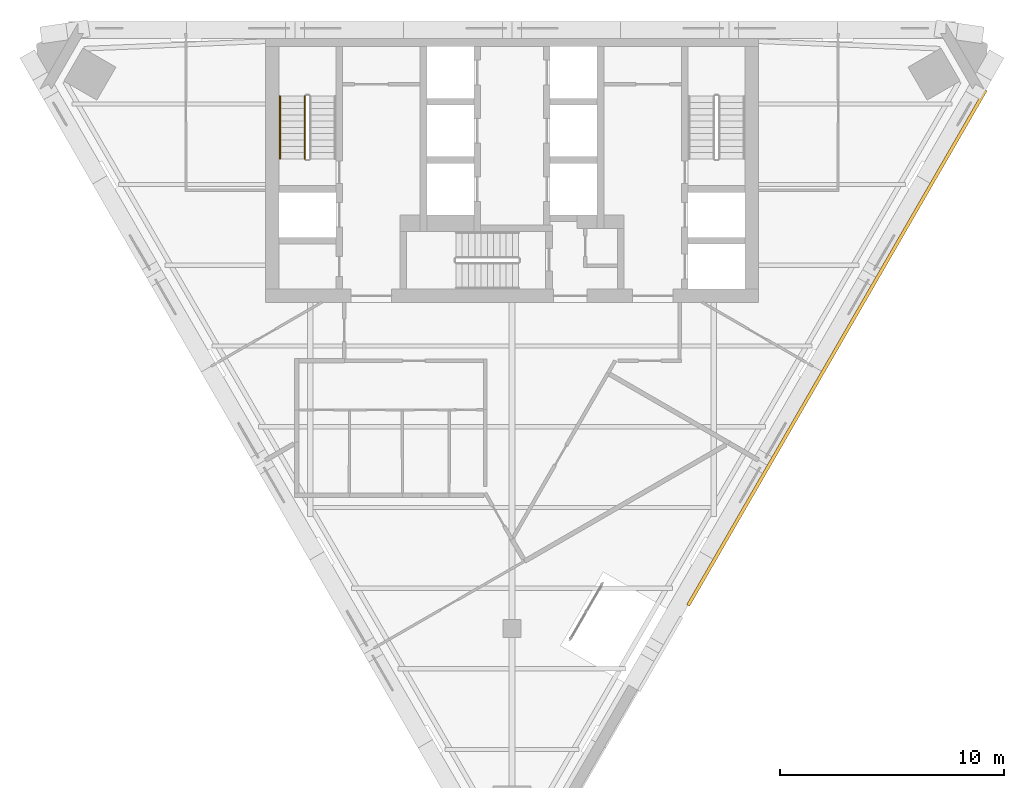
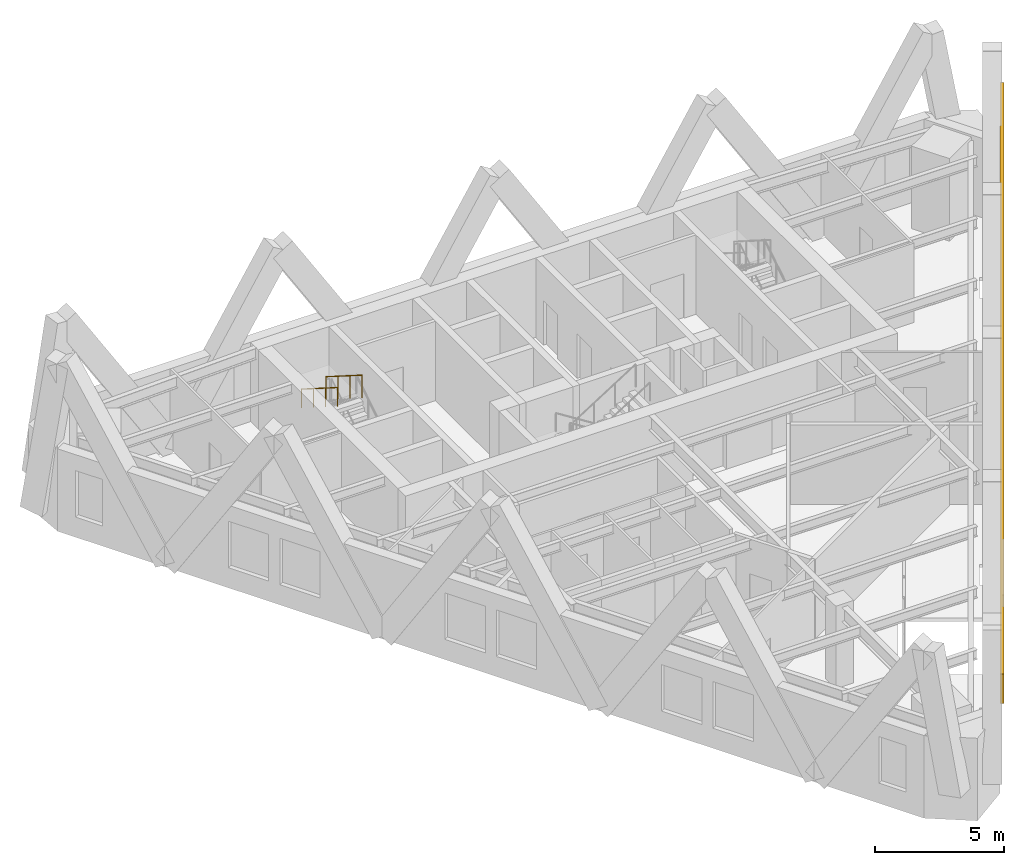
# One storey, part 9 of 10: 2 railings, 1 covering.
"""IFC4 building model written with IfcOpenShell, lengths in metres."""

from ifc_helpers import new_model, si_unit, direction, frame, origin, origin_2d, place, context, subcontext, project, spatial, polyline, circle, outline, extrude, material, layer, layer_set, type_object, element, save


model = new_model("IFC4")

# Units and contexts
model_context = context("Model", 3, precision=1e-05, world=origin(), true_north=direction((0.0, 1.0)))
body_context = subcontext(model_context, "Body", "Model", "MODEL_VIEW")
ifc_project = project(units=[si_unit("LENGTHUNIT", "METRE"), si_unit("AREAUNIT", "SQUARE_METRE"), si_unit("VOLUMEUNIT", "CUBIC_METRE"), si_unit("PLANEANGLEUNIT", "RADIAN"), si_unit("MASSUNIT", "GRAM", prefix="KILO")], contexts=[model_context])

# Site, building, storey
site_placement = place(None, origin())
site = spatial("IfcSite", under=ifc_project, at=site_placement, CompositionType="ELEMENT")
building_placement = place(site_placement, origin())
building = spatial("IfcBuilding", under=site, at=building_placement, Name="Aloe Facet Convention Tower", CompositionType="ELEMENT")
storey_placement = place(building_placement, frame((0.0, 0.0, 219.199951171875)))
storey = spatial("IfcBuildingStorey", under=building, at=storey_placement, Name="L55", CompositionType="ELEMENT", Elevation=219.199951171875)

# Railings
ifc_material_1 = material(Name="Steel S355 balustrade", Category="steel")
railing_type_1 = type_object("IfcRailingType", Name="CR-RL-GUARD", PredefinedType="GUARDRAIL", material=ifc_material_1)
railing_1_placement = place(storey_placement, frame((70.75, 131.75, 2.12744140625)))
element("IfcRailing", 1, at=railing_1_placement, inside=storey, type_object=railing_type_1, Name="L55 ST1 stair guard 3", PredefinedType="GUARDRAIL", context=body_context, shape_type="SweptSolid", body=[
    extrude(circle(Radius=0.02392578125, at=origin_2d()), frame((0.0, 0.0, 1.076171875), z_axis=(0.0, -0.844908973607, 0.534910110503), x_axis=(1.0, 0.0, 0.0)), (0.0, 0.0, 1.0), 3.31396484375),
    extrude(circle(Radius=0.02099609375, at=origin_2d()), origin(), (0.0, 0.0, 1.0), 1.052001953125),
    extrude(circle(Radius=0.02099609375, at=origin_2d()), frame((0.0, -0.933349609375, 0.5908203125)), (0.0, 0.0, 1.0), 1.052001953125),
    extrude(circle(Radius=0.02099609375, at=origin_2d()), frame((0.0, -1.86669921875, 1.181884765625)), (0.0, 0.0, 1.0), 1.052001953125),
    extrude(circle(Radius=0.02099609375, at=origin_2d()), frame((0.0, -2.800048828125, 1.772705078125)), (0.0, 0.0, 1.0), 1.052001953125),
])
ifc_material_2 = material(Name="Steel S355 handrail", Category="steel")
railing_type_2 = type_object("IfcRailingType", Name="CR-RL-HAND", PredefinedType="HANDRAIL", material=ifc_material_2)
railing_2_placement = place(storey_placement, frame((69.64990234375, 131.75, 2.12744140625)))
element("IfcRailing", 2, at=railing_2_placement, inside=storey, type_object=railing_type_2, Name="L55 ST1 stair handrail 2", PredefinedType="HANDRAIL", context=body_context, shape_type="SweptSolid", body=[
    extrude(circle(Radius=0.02392578125, at=origin_2d()), frame((0.0, 0.0, 0.8759765625), z_axis=(0.0, -0.844908973607, 0.534910110503), x_axis=(1.0, 0.0, 0.0)), (0.0, 0.0, 1.0), 3.31396484375),
    extrude(circle(Radius=0.02099609375, at=origin_2d()), origin(), (0.0, 0.0, 1.0), 0.851806640625),
    extrude(circle(Radius=0.02099609375, at=origin_2d()), frame((0.0, -0.933349609375, 0.5908203125)), (0.0, 0.0, 1.0), 0.851806640625),
    extrude(circle(Radius=0.02099609375, at=origin_2d()), frame((0.0, -1.86669921875, 1.181884765625)), (0.0, 0.0, 1.0), 0.851806640625),
    extrude(circle(Radius=0.02099609375, at=origin_2d()), frame((0.0, -2.800048828125, 1.772705078125)), (0.0, 0.0, 1.0), 0.851806640625),
])

# Covering
ifc_material_3 = material(Name="Bronze oxide fascia sheet")
ifc_layer = layer(ifc_material_3, 0.14990234375)
ifc_layer_set = layer_set([ifc_layer], Name="EV-FASCIA-TERR")
covering_type = type_object("IfcCoveringType", Name="EV-FASCIA-TERR", PredefinedType="CLADDING", material=ifc_layer_set)
covering_placement = place(storey_placement, frame((87.921142578125, 108.990234375, -4.449951171875), z_axis=(0.866025085798, -0.500000550768, 0.0), x_axis=(0.47159139233, 0.816819052254, 0.332277285646)))
element("IfcCovering", 3, at=covering_placement, inside=storey, type_object=covering_type, Name="Spiral ribbon zone 4 part 10", PredefinedType="CLADDING", context=body_context, shape_type="SweptSolid", body=[
    extrude(outline(polyline([(0.0, 0.0), (28.14605549610046, -1.7763568394002505e-15), (28.61121124705064, 1.320362336404182), (0.4651557509501796, 1.320362336404185), (0.0, 0.0)])), origin(), (0.0, 0.0, -1.0), 0.14990234375),
])

save(model, "model.ifc")
